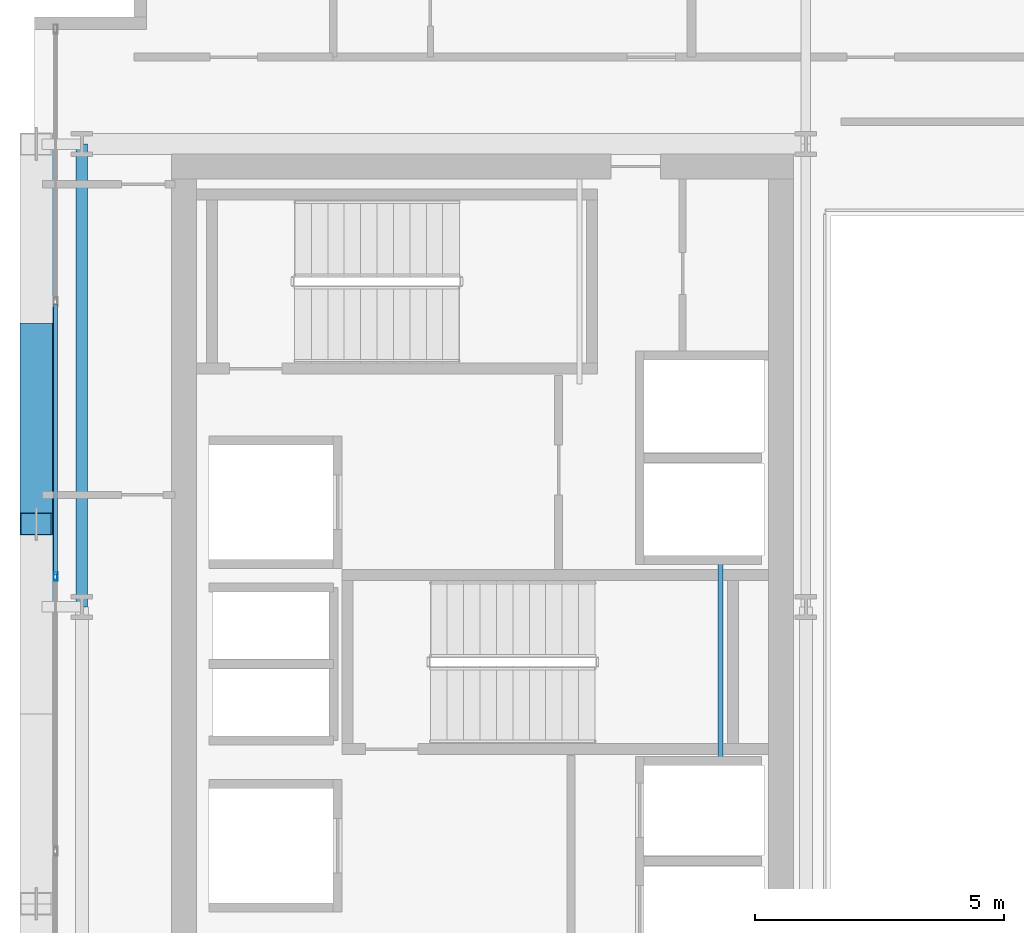
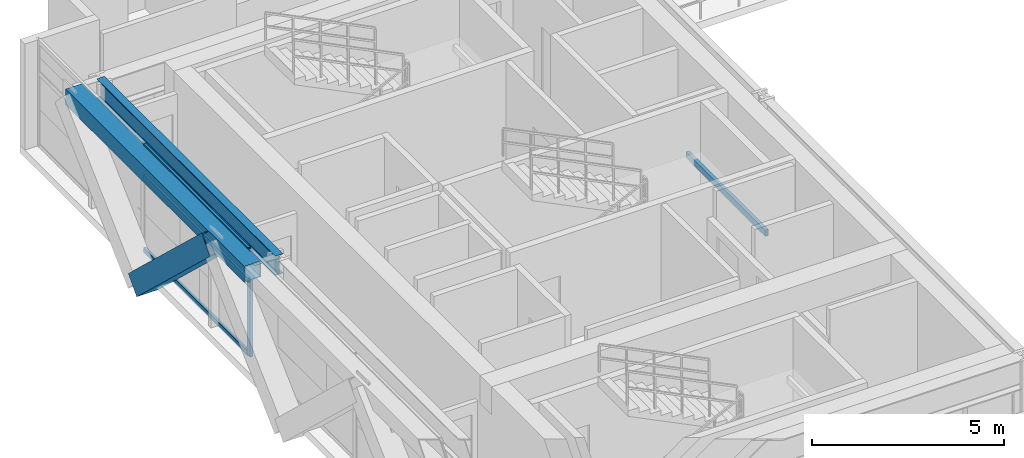
# One storey, part 8 of 34: 5 members, 3 beams, 1 element without a shape of its own.
"""IFC4 building model written with IfcOpenShell, lengths in metres."""

from ifc_helpers import new_model, si_unit, direction, frame, origin, origin_2d, place, context, subcontext, project, spatial, hollow_rectangle, i_section, extrude, source, transform, mapped, material, layer, layer_set, material_profile, profile_set, type_object, element, aggregate, save


model = new_model("IFC4")

# Units and contexts
model_context = context("Model", 3, precision=1e-05, world=origin(), true_north=direction((0.0, 1.0)))
body_context = subcontext(model_context, "Body", "Model", "MODEL_VIEW")
ifc_project = project(units=[si_unit("LENGTHUNIT", "METRE"), si_unit("AREAUNIT", "SQUARE_METRE"), si_unit("VOLUMEUNIT", "CUBIC_METRE"), si_unit("PLANEANGLEUNIT", "RADIAN"), si_unit("MASSUNIT", "GRAM", prefix="KILO")], contexts=[model_context])

# Site, building, storey
site_placement = place(None, origin())
site = spatial("IfcSite", under=ifc_project, at=site_placement, CompositionType="ELEMENT")
building_placement = place(site_placement, origin())
building = spatial("IfcBuilding", under=site, at=building_placement, Name="Ocotamira Hotel", CompositionType="ELEMENT")
storey_placement = place(building_placement, frame((0.0, 0.0, 163.199951171875)))
storey = spatial("IfcBuildingStorey", under=building, at=storey_placement, Name="L40", CompositionType="ELEMENT", Elevation=163.199951171875)

# Beams
ifc_material_1 = material(Name="Steel ASTM A500 Grade C", Category="steel")
ifc_material_profile_1 = material_profile(ifc_material_1, hollow_rectangle(XDim=0.10009765625, YDim=0.199951171875, WallThickness=0.008056640625, at=origin_2d()), Name="HSS200X100X8")
ifc_profile_set_1 = profile_set([ifc_material_profile_1], Name="Steel ASTM A500 Grade C")
beam_type_1 = type_object("IfcBeamType", Name="BM-STLDG-HSS200", PredefinedType="BEAM", material=ifc_profile_set_1)
shared_shape_1 = source(origin(), body_context, "Body", "SweptSolid", [
    extrude(hollow_rectangle(XDim=0.10009765625, YDim=0.199951171875, WallThickness=0.008056640625, at=origin_2d()), origin(), (0.0, 0.0, 1.0), 4.1201171875),
])
beam_1_placement = place(storey_placement, frame((21.780029296875, 24.97998046875, 1.5), z_axis=(0.0, 1.0, 0.0), x_axis=(-1.0, 0.0, 0.0)))
element("IfcBeam", 1, at=beam_1_placement, inside=storey, type_object=beam_type_1, Name="L40 Stair ST-3 Landing Bearer 1", PredefinedType="BEAM", context=body_context, shape_type="MappedRepresentation", body=[
    mapped(shared_shape_1, transform((0.0, 0.0, 0.0), scale=1.0)),
])
ifc_material_2 = material(Name="Steel ASTM A992 Grade 50", Category="steel")
ifc_material_profile_2 = material_profile(ifc_material_2, i_section(OverallWidth=0.22998046875, OverallDepth=0.616943359375, WebThickness=0.01318359375, FlangeThickness=0.022216796875, FilletRadius=0.012939453125, at=origin_2d()), Name="W24X94")
ifc_profile_set_2 = profile_set([ifc_material_profile_2], Name="Steel ASTM A992 Grade 50")
beam_type_2 = type_object("IfcBeamType", Name="BM-PRIM-W24X94", PredefinedType="BEAM", material=ifc_profile_set_2)
shared_shape_2 = source(origin(), body_context, "Body", "SweptSolid", [
    extrude(i_section(OverallWidth=0.22998046875, OverallDepth=0.616943359375, WebThickness=0.01318359375, FlangeThickness=0.022216796875, FilletRadius=0.012939453125, at=origin_2d()), origin(), (0.0, 0.0, 1.0), 9.300048828125),
])
beam_2_placement = place(storey_placement, frame((8.949951171875, 28.14990234375, 3.0615234375), z_axis=(0.0, 1.0, 0.0), x_axis=(-1.0, 0.0, 0.0)))
element("IfcBeam", 2, at=beam_2_placement, inside=storey, type_object=beam_type_2, Name="L40 Beam X8.95 Y28.15-37.45", PredefinedType="BEAM", context=body_context, shape_type="MappedRepresentation", body=[
    mapped(shared_shape_2, transform((0.0, 0.0, 0.0), scale=1.0)),
])
ifc_material_profile_3 = material_profile(ifc_material_1, hollow_rectangle(XDim=0.5, YDim=0.5, WallThickness=0.02001953125, at=origin_2d()), Name="HSS500X500X20")
ifc_profile_set_3 = profile_set([ifc_material_profile_3], Name="Steel ASTM A500 Grade C")
beam_type_3 = type_object("IfcBeamType", Name="BM-SPAN-HSS500", PredefinedType="USERDEFINED", material=ifc_profile_set_3)
shared_shape_3 = source(origin(), body_context, "Body", "SweptSolid", [
    extrude(hollow_rectangle(XDim=0.5, YDim=0.5, WallThickness=0.02001953125, at=origin_2d()), origin(), (0.0, 0.0, 1.0), 9.300048828125),
])
beam_3_placement = place(storey_placement, frame((8.14990234375, 28.14990234375, 3.1201171875), z_axis=(0.0, 1.0, 0.0), x_axis=(-1.0, 0.0, 0.0)))
element("IfcBeam", 3, at=beam_3_placement, inside=storey, type_object=beam_type_3, Name="L40 Edge Spandrel W Y28.15-37.45", ObjectType="SPANDREL", PredefinedType="USERDEFINED", context=body_context, shape_type="MappedRepresentation", body=[
    mapped(shared_shape_3, transform((0.0, 0.0, 0.0), scale=1.0)),
])

# Member
ifc_material_3 = material(Name="Pale-metal coated steel ASTM A913 Grade 65", Category="steel")
ifc_material_profile_4 = material_profile(ifc_material_3, hollow_rectangle(XDim=0.64990234375, YDim=0.64990234375, WallThickness=0.02197265625, at=origin_2d()), Name="BOX650X650X22")
ifc_profile_set_4 = profile_set([ifc_material_profile_4], Name="Pale-metal coated steel ASTM A913 Grade 65")
member_type_1 = type_object("IfcMemberType", Name="MEM-EXO-BOX650", PredefinedType="BRACE", material=ifc_profile_set_4)
shared_shape_4 = source(origin(), body_context, "Body", "SweptSolid", [
    extrude(hollow_rectangle(XDim=0.64990234375, YDim=0.64990234375, WallThickness=0.02197265625, at=origin_2d()), origin(), (0.0, 0.0, 1.0), 5.24658203125),
])
member_1_placement = place(storey_placement, frame((8.030029296875, 33.63330078125, -0.47998046875), z_axis=(0.0, -0.727442733726, 0.686168397078), x_axis=(1.0, 0.0, 0.0)))
element("IfcMember", 4, at=member_1_placement, inside=storey, type_object=member_type_1, Name="L40 Exoskeleton Diagrid W2.1", PredefinedType="BRACE", context=body_context, shape_type="MappedRepresentation", body=[
    mapped(shared_shape_4, transform((0.0, 0.0, 0.0), scale=1.0)),
])

# Curtain wall, members
ifc_material_4 = material(Name="Anodised pale-metal aluminium and solar glass", Category="aluminium")
ifc_layer = layer(ifc_material_4, 0.199951171875)
ifc_layer_set = layer_set([ifc_layer], Name="Anodised pale-metal aluminium and solar glass")
curtain_wall_type = type_object("IfcCurtainWallType", Name="CW-SYS4-Z3", PredefinedType="NOTDEFINED", material=ifc_layer_set)
curtain_wall_placement = place(storey_placement, origin())
curtain_wall = element("IfcCurtainWall", 5, at=curtain_wall_placement, inside=storey, type_object=curtain_wall_type, Name="L40 Curtain Wall CW-4 CW-L40-W", PredefinedType="NOTDEFINED")
ifc_material_5 = material(Name="Anodised pale-metal aluminium 6063-T6", Category="aluminium")
ifc_material_profile_5 = material_profile(ifc_material_5, hollow_rectangle(XDim=0.080078125, YDim=0.179931640625, WallThickness=0.006103515625, at=origin_2d()), Name="HSS180X80X6")
ifc_profile_set_5 = profile_set([ifc_material_profile_5], Name="Anodised pale-metal aluminium 6063-T6")
member_type_2 = type_object("IfcMemberType", Name="CWM-180X75", PredefinedType="MULLION", material=ifc_profile_set_5)
shared_shape_5 = source(origin(), body_context, "Body", "SweptSolid", [
    extrude(hollow_rectangle(XDim=0.080078125, YDim=0.179931640625, WallThickness=0.006103515625, at=origin_2d()), origin(), (0.0, 0.0, 1.0), 3.3701171875),
])
member_2_placement = place(storey_placement, frame((8.419921875, 28.760009765625, 0.0), z_axis=(0.0, 0.0, 1.0), x_axis=(-1.0, 0.0, 0.0)))
member_2 = element("IfcMember", 6, at=member_2_placement, type_object=member_type_2, Name="CW-4 mullion 4", PredefinedType="MULLION", context=body_context, shape_type="MappedRepresentation", body=[
    mapped(shared_shape_5, transform((0.0, 0.0, 0.0), scale=1.0)),
])
ifc_material_profile_6 = material_profile(ifc_material_5, hollow_rectangle(XDim=0.074951171875, YDim=0.14990234375, WallThickness=0.006103515625, at=origin_2d()), Name="HSS150X75X6")
ifc_profile_set_6 = profile_set([ifc_material_profile_6], Name="Anodised pale-metal aluminium 6063-T6")
member_type_3 = type_object("IfcMemberType", Name="CWT-150X75", PredefinedType="USERDEFINED", material=ifc_profile_set_6)
shared_shape_6 = source(origin(), body_context, "Body", "SweptSolid", [
    extrude(hollow_rectangle(XDim=0.074951171875, YDim=0.14990234375, WallThickness=0.006103515625, at=origin_2d()), origin(), (0.0, 0.0, 1.0), 5.43994140625),
])
member_3_placement = place(storey_placement, frame((8.419921875, 28.800048828125, 0.03759765625), z_axis=(0.0, 1.0, 0.0), x_axis=(-1.0, 0.0, 0.0)))
member_3 = element("IfcMember", 7, at=member_3_placement, type_object=member_type_3, Name="CW-4 transom 4.1", ObjectType="TRANSOM", PredefinedType="USERDEFINED", context=body_context, shape_type="MappedRepresentation", body=[
    mapped(shared_shape_6, transform((0.0, 0.0, 0.0), scale=1.0)),
])
member_4_placement = place(storey_placement, frame((8.419921875, 28.800048828125, 2.35009765625), z_axis=(0.0, 1.0, 0.0), x_axis=(-1.0, 0.0, 0.0)))
member_4 = element("IfcMember", 8, at=member_4_placement, type_object=member_type_3, Name="CW-4 transom 4.2", ObjectType="TRANSOM", PredefinedType="USERDEFINED", context=body_context, shape_type="MappedRepresentation", body=[
    mapped(shared_shape_6, transform((0.0, 0.0, 0.0), scale=1.0)),
])
member_5_placement = place(storey_placement, frame((8.419921875, 28.800048828125, 3.33251953125), z_axis=(0.0, 1.0, 0.0), x_axis=(-1.0, 0.0, 0.0)))
member_5 = element("IfcMember", 9, at=member_5_placement, type_object=member_type_3, Name="CW-4 transom 4.3", ObjectType="TRANSOM", PredefinedType="USERDEFINED", context=body_context, shape_type="MappedRepresentation", body=[
    mapped(shared_shape_6, transform((0.0, 0.0, 0.0), scale=1.0)),
])
aggregate(curtain_wall, [member_2, member_3, member_4, member_5])

save(model, "model.ifc")
